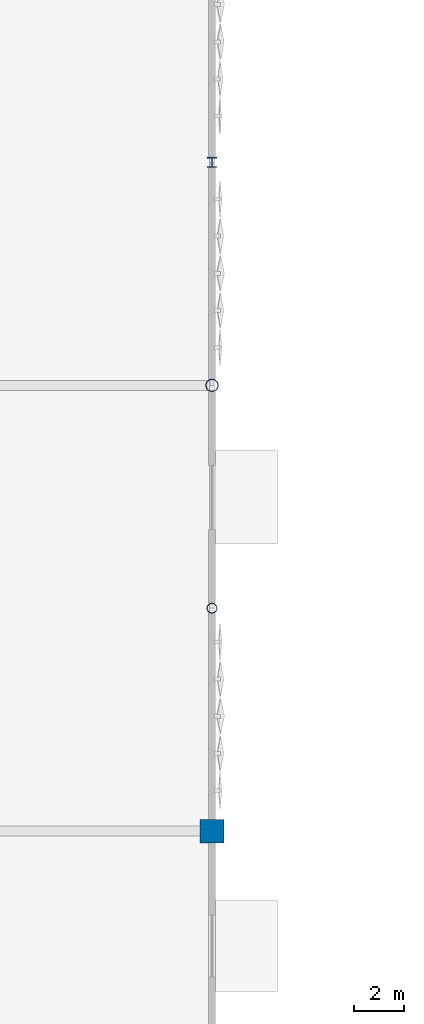
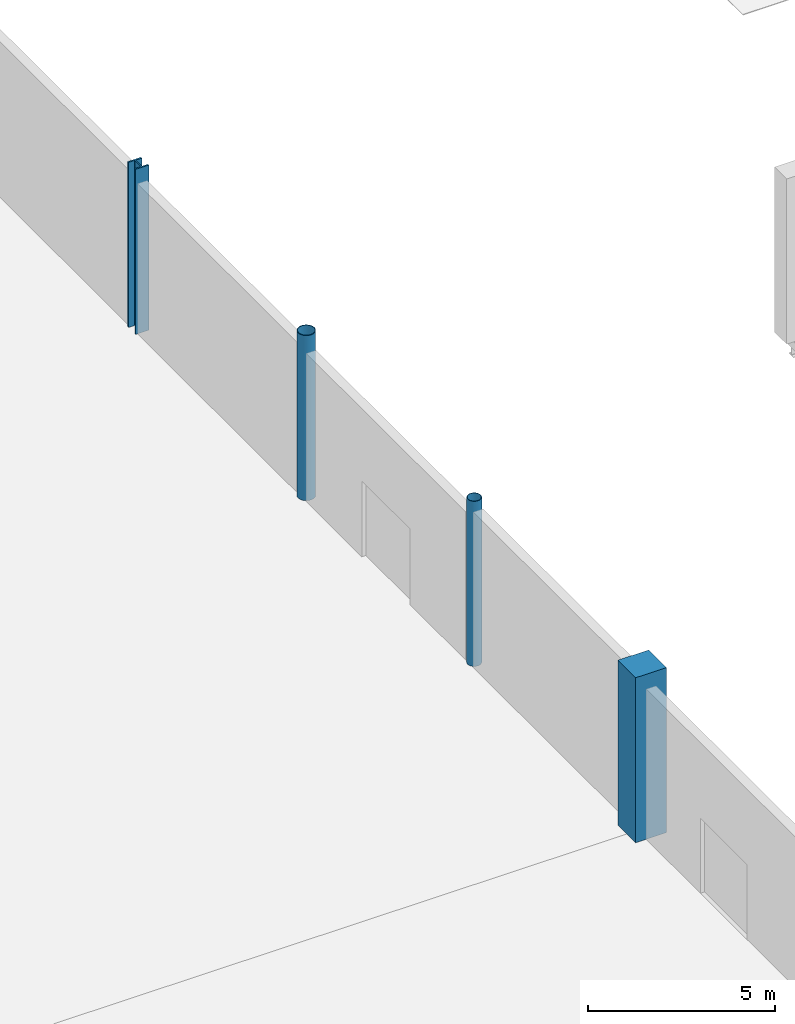
# One storey, part 10 of 94: 4 columns.
"""IFC4 building model written with IfcOpenShell, lengths in metres."""

import ifcopenshell
import ifcopenshell.guid

model = None  # the IFC model being written
_history = None  # IfcOwnerHistory: only IFC2X3 demands one
_inside = {}  # id of a spatial element -> (the spatial element, [elements in it])
_under = {}  # id of a project, library or spatial element -> (it, [spatial elements below it])
_declared = {}  # id of a project -> (the project, [libraries it declares])
_typed = {}  # id of a type object -> (the type object, [elements of that type])
_made_of = {}  # id of a material, layer set ... -> (it, [elements and type objects made of it])


def new_model(schema):
    """Start an empty IFC model of exactly this schema.

    Asked for "IFC4X3", IfcOpenShell would pick the latest addendum, in which some entities
    have other attributes; the version numbers below select the first issue.
    IFC2X3 requires an IfcOwnerHistory on every rooted entity: one is made here for all.
    """
    global model, _history
    if schema == "IFC4X3":
        model = ifcopenshell.file(schema_version=(4, 3, 0, 0))
    else:
        model = ifcopenshell.file(schema=schema)
    _inside.clear()
    _under.clear()
    _declared.clear()
    _typed.clear()
    _made_of.clear()
    _history = None
    if model.schema == "IFC2X3":
        org = make("IfcOrganization", Name="unknown")
        user = make(
            "IfcPersonAndOrganization",
            ThePerson=make("IfcPerson", FamilyName="unknown"),
            TheOrganization=org,
        )
        app = make(
            "IfcApplication",
            ApplicationDeveloper=org,
            Version="unknown",
            ApplicationFullName="unknown",
            ApplicationIdentifier="unknown",
        )
        _history = make(
            "IfcOwnerHistory",
            OwningUser=user,
            OwningApplication=app,
            ChangeAction="ADDED",
            CreationDate=0,
        )
    return model


def make(cls, **values):
    """One entity of the class cls with the attributes given. An attribute that is None is left unset."""
    return model.create_entity(
        cls, **{name: value for name, value in values.items() if value is not None}
    )


def rooted(cls, **values):
    """An entity with a GlobalId (a new one), such as an element, a storey or a relation."""
    return make(cls, GlobalId=ifcopenshell.guid.new(), OwnerHistory=_history, **values)


def si_unit(unit_type, name, prefix=None):
    """IfcSIUnit, for example si_unit("LENGTHUNIT", "METRE", prefix="MILLI")."""
    return make("IfcSIUnit", UnitType=unit_type, Prefix=prefix, Name=name)


def assignment(units):
    """IfcUnitAssignment: the units of a project."""
    return None if units is None else make("IfcUnitAssignment", Units=units)


def point(xyz):
    """IfcCartesianPoint."""
    return None if xyz is None else make("IfcCartesianPoint", Coordinates=xyz)


def direction(xyz):
    """IfcDirection."""
    return None if xyz is None else make("IfcDirection", DirectionRatios=xyz)


def frame(location, z_axis=None, x_axis=None):
    """IfcAxis2Placement3D, a coordinate frame: its origin and axes. An axis left out is left unset."""
    return make(
        "IfcAxis2Placement3D",
        Location=point(location),
        Axis=direction(z_axis),
        RefDirection=direction(x_axis),
    )


def frame_2d(location, x_axis=None):
    """IfcAxis2Placement2D, a coordinate frame in the plane: its origin and x axis."""
    return make(
        "IfcAxis2Placement2D", Location=point(location), RefDirection=direction(x_axis)
    )


def origin():
    """The frame at (0, 0, 0) with its axes left unset."""
    return frame((0.0, 0.0, 0.0))


def origin_2d():
    """The frame at (0, 0) in the plane with its x axis left unset."""
    return frame_2d((0.0, 0.0))


def place(relative_to, where):
    """IfcLocalPlacement: puts the frame where relative to a parent placement (None: the world)."""
    return make(
        "IfcLocalPlacement", PlacementRelTo=relative_to, RelativePlacement=where
    )


def context(
    kind, dimensions, precision=None, world=None, true_north=None, identifier=None
):
    """IfcGeometricRepresentationContext, for example the 3D "Model" context."""
    return make(
        "IfcGeometricRepresentationContext",
        ContextIdentifier=identifier,
        ContextType=kind,
        CoordinateSpaceDimension=dimensions,
        Precision=precision,
        WorldCoordinateSystem=world,
        TrueNorth=true_north,
    )


def subcontext(parent, identifier, kind, view, scale=None):
    """IfcGeometricRepresentationSubContext, for example "Body" below "Model"."""
    return make(
        "IfcGeometricRepresentationSubContext",
        ContextIdentifier=identifier,
        ContextType=kind,
        ParentContext=parent,
        TargetScale=scale,
        TargetView=view,
    )


def project(units=None, contexts=None):
    """IfcProject with its units and contexts."""
    return rooted(
        "IfcProject",
        Name="project",
        RepresentationContexts=contexts,
        UnitsInContext=assignment(units),
    )


def spatial(cls, under=None, at=None, **own):
    """A site, building, storey or space (cls), placed at a placement, below another one or the project."""
    s = rooted(cls, ObjectPlacement=at, **own)
    if under is not None:
        _under.setdefault(under.id(), (under, []))[1].append(s)
    return s


def profile(cls, at=None, kind="AREA", **sizes):
    """A parametric profile (cls). Its sizes go by their IFC names, for example OverallWidth=200.0."""
    return make(cls, ProfileType=kind, Position=at, **sizes)


def rectangle(**sizes):
    """IfcRectangleProfileDef."""
    return profile("IfcRectangleProfileDef", **sizes)


def hollow_circle(**sizes):
    """IfcCircleHollowProfileDef."""
    return profile("IfcCircleHollowProfileDef", **sizes)


def i_section(**sizes):
    """IfcIShapeProfileDef."""
    return profile("IfcIShapeProfileDef", **sizes)


def extrude(swept, where, along, depth):
    """IfcExtrudedAreaSolid: the profile swept, set in the frame where, extruded along a direction by depth."""
    return make(
        "IfcExtrudedAreaSolid",
        SweptArea=swept,
        Position=where,
        ExtrudedDirection=direction(along),
        Depth=depth,
    )


def shape(context_of_items, identifier, shape_type, items):
    """IfcShapeRepresentation: the items that make up one representation, for example the "Body"."""
    return make(
        "IfcShapeRepresentation",
        ContextOfItems=context_of_items,
        RepresentationIdentifier=identifier,
        RepresentationType=shape_type,
        Items=items,
    )


def material(Name=None, Category=None):
    """IfcMaterial."""
    return make("IfcMaterial", Name=Name, Category=Category)


def material_profile(
    of_material, cross_section, Name=None, Category=None, Priority=None
):
    """IfcMaterialProfile: a cross section and its material."""
    return make(
        "IfcMaterialProfile",
        Name=Name,
        Material=of_material,
        Profile=cross_section,
        Priority=Priority,
        Category=Category,
    )


def profile_set(profiles, Name=None, composite=None):
    """IfcMaterialProfileSet."""
    return make(
        "IfcMaterialProfileSet",
        Name=Name,
        MaterialProfiles=profiles,
        CompositeProfile=composite,
    )


def made_of(thing, what):
    """Note that an element or type object is made of a material, layer set ...; save() writes the relation."""
    if what is not None:
        _made_of.setdefault(what.id(), (what, []))[1].append(thing)
    return thing


def type_object(cls, material=None, **own):
    """A type object (cls), such as IfcWallType, which elements share."""
    return made_of(rooted(cls, **own), material)


def element(
    cls,
    number,
    at=None,
    inside=None,
    cuts=None,
    type_object=None,
    material=None,
    context=None,
    identifier="Body",
    shape_type=None,
    held_by="IfcProductDefinitionShape",
    body=None,
    shapes=None,
    **own,
):
    """One element of the class cls, such as IfcWall. Its Tag is "e" and its number.

    at: its placement. inside: the storey or other place that contains it. cuts: it is an
    opening in that element (IfcRelVoidsElement). A single representation is given by context,
    identifier, shape_type and body (its items); several are given by shapes. held_by: the class
    of the entity that holds the representations. save() writes the other relations.
    """
    e = rooted(cls, Tag="e%d" % number, ObjectPlacement=at, **own)
    if body is not None:
        shapes = [shape(context, identifier, shape_type, body)]
    if shapes is not None:
        e.Representation = make(held_by, Representations=shapes)
    if inside is not None:
        _inside.setdefault(inside.id(), (inside, []))[1].append(e)
    if cuts is not None:
        rooted(
            "IfcRelVoidsElement", RelatingBuildingElement=cuts, RelatedOpeningElement=e
        )
    if type_object is not None:
        _typed.setdefault(type_object.id(), (type_object, []))[1].append(e)
    return made_of(e, material)


def aggregate(whole, parts):
    """IfcRelAggregates: a whole, such as a stair, and the parts it consists of."""
    return rooted("IfcRelAggregates", RelatingObject=whole, RelatedObjects=parts)


def save(model, path):
    """Write the relations noted so far, then the file.

    IfcRelAggregates (storeys below a building ...), IfcRelContainedInSpatialStructure (elements
    in a storey), IfcRelDefinesByType, IfcRelAssociatesMaterial and IfcRelDeclares: one each for
    every whole, place, type object, material and project.
    """
    for whole, parts in _under.values():
        aggregate(whole, parts)
    for where, things in _inside.values():
        rooted(
            "IfcRelContainedInSpatialStructure",
            RelatedElements=things,
            RelatingStructure=where,
        )
    for kind, things in _typed.values():
        rooted("IfcRelDefinesByType", RelatedObjects=things, RelatingType=kind)
    for what, things in _made_of.values():
        rooted("IfcRelAssociatesMaterial", RelatedObjects=things, RelatingMaterial=what)
    for by, libraries in _declared.values():
        rooted("IfcRelDeclares", RelatingContext=by, RelatedDefinitions=libraries)
    model.write(path)


model = new_model("IFC4")

# Units and contexts
model_context = context("Model", 3, precision=1e-05, world=origin(), true_north=direction((0.0, 1.0)))
body_context = subcontext(model_context, "Body", "Model", "MODEL_VIEW")
ifc_project = project(units=[si_unit("LENGTHUNIT", "METRE"), si_unit("AREAUNIT", "SQUARE_METRE"), si_unit("VOLUMEUNIT", "CUBIC_METRE"), si_unit("PLANEANGLEUNIT", "RADIAN"), si_unit("MASSUNIT", "GRAM", prefix="KILO")], contexts=[model_context])

# Site, building, storey
site_placement = place(None, origin())
site = spatial("IfcSite", under=ifc_project, at=site_placement, CompositionType="ELEMENT")
building_placement = place(site_placement, origin())
building = spatial("IfcBuilding", under=site, at=building_placement, Name="Qamarlyn Nura Convention Centre", CompositionType="ELEMENT")
storey_placement = place(building_placement, origin())
storey = spatial("IfcBuildingStorey", under=building, at=storey_placement, Name="L00", CompositionType="ELEMENT", Elevation=0.0)

# Columns
ifc_material_1 = material(Name="Pearl-white PVDF steel ASTM A500 Grade C", Category="steel")
ifc_material_profile_1 = material_profile(ifc_material_1, hollow_circle(Radius=0.25390625, WallThickness=0.02001953125, at=origin_2d()), Name="CHS508X20")
ifc_profile_set_1 = profile_set([ifc_material_profile_1], Name="Pearl-white PVDF steel ASTM A500 Grade C")
column_type_1 = type_object("IfcColumnType", Name="COL-HALL-1", PredefinedType="COLUMN", material=ifc_profile_set_1)
column_1_placement = place(storey_placement, frame((120.0, 81.0, 0.0), z_axis=(0.0, 0.0, 1.0), x_axis=(1.0, 0.0, 0.0)))
element("IfcColumn", 1, at=column_1_placement, inside=storey, type_object=column_type_1, Name="L00 column 9/K", PredefinedType="COLUMN", context=body_context, shape_type="SweptSolid", body=[
    extrude(hollow_circle(Radius=0.25390625, WallThickness=0.02001953125, at=origin_2d()), origin(), (0.0, 0.0, 1.0), 5.39990234375),
])
ifc_material_2 = material(Name="Concrete C50/60", Category="concrete")
ifc_material_profile_2 = material_profile(ifc_material_2, rectangle(XDim=0.949951171875, YDim=0.949951171875, at=origin_2d()), Name="RC 950x950")
ifc_profile_set_2 = profile_set([ifc_material_profile_2], Name="Concrete C50/60")
column_type_2 = type_object("IfcColumnType", Name="COL-HALL-2", PredefinedType="COLUMN", material=ifc_profile_set_2)
column_2_placement = place(storey_placement, frame((120.0, 63.0, 0.0), z_axis=(0.0, 0.0, 1.0), x_axis=(1.0, 0.0, 0.0)))
element("IfcColumn", 2, at=column_2_placement, inside=storey, type_object=column_type_2, Name="L00 column 9/H", PredefinedType="COLUMN", context=body_context, shape_type="SweptSolid", body=[
    extrude(rectangle(XDim=0.949951171875, YDim=0.949951171875, at=origin_2d()), origin(), (0.0, 0.0, 1.0), 5.39990234375),
])
ifc_material_3 = material(Name="Steel ASTM A992", Category="steel")
ifc_material_profile_3 = material_profile(ifc_material_3, i_section(OverallWidth=0.408935546875, OverallDepth=0.425048828125, WebThickness=0.030517578125, FlangeThickness=0.049072265625, FilletRadius=0.02001953125, at=origin_2d()), Name="W360X421")
ifc_profile_set_3 = profile_set([ifc_material_profile_3], Name="Steel ASTM A992")
column_type_3 = type_object("IfcColumnType", Name="COL-MEGA-1", PredefinedType="COLUMN", material=ifc_profile_set_3)
column_3_placement = place(storey_placement, frame((120.0, 90.0, 0.0), z_axis=(0.0, 0.0, 1.0), x_axis=(1.0, 0.0, 0.0)))
element("IfcColumn", 3, at=column_3_placement, inside=storey, type_object=column_type_3, Name="L00 column 9/L", PredefinedType="COLUMN", context=body_context, shape_type="SweptSolid", body=[
    extrude(i_section(OverallWidth=0.408935546875, OverallDepth=0.425048828125, WebThickness=0.030517578125, FlangeThickness=0.049072265625, FilletRadius=0.02001953125, at=origin_2d()), origin(), (0.0, 0.0, 1.0), 5.39990234375),
])
ifc_material_profile_4 = material_profile(ifc_material_1, hollow_circle(Radius=0.203125, WallThickness=0.01611328125, at=origin_2d()), Name="CHS406.4X16")
ifc_profile_set_4 = profile_set([ifc_material_profile_4], Name="Pearl-white PVDF steel ASTM A500 Grade C")
column_type_4 = type_object("IfcColumnType", Name="COL-TUBE-1", PredefinedType="COLUMN", material=ifc_profile_set_4)
column_4_placement = place(storey_placement, frame((120.0, 72.0, 0.0), z_axis=(0.0, 0.0, 1.0), x_axis=(1.0, 0.0, 0.0)))
element("IfcColumn", 4, at=column_4_placement, inside=storey, type_object=column_type_4, Name="L00 column 9/J", PredefinedType="COLUMN", context=body_context, shape_type="SweptSolid", body=[
    extrude(hollow_circle(Radius=0.203125, WallThickness=0.01611328125, at=origin_2d()), origin(), (0.0, 0.0, 1.0), 5.39990234375),
])

save(model, "model.ifc")
